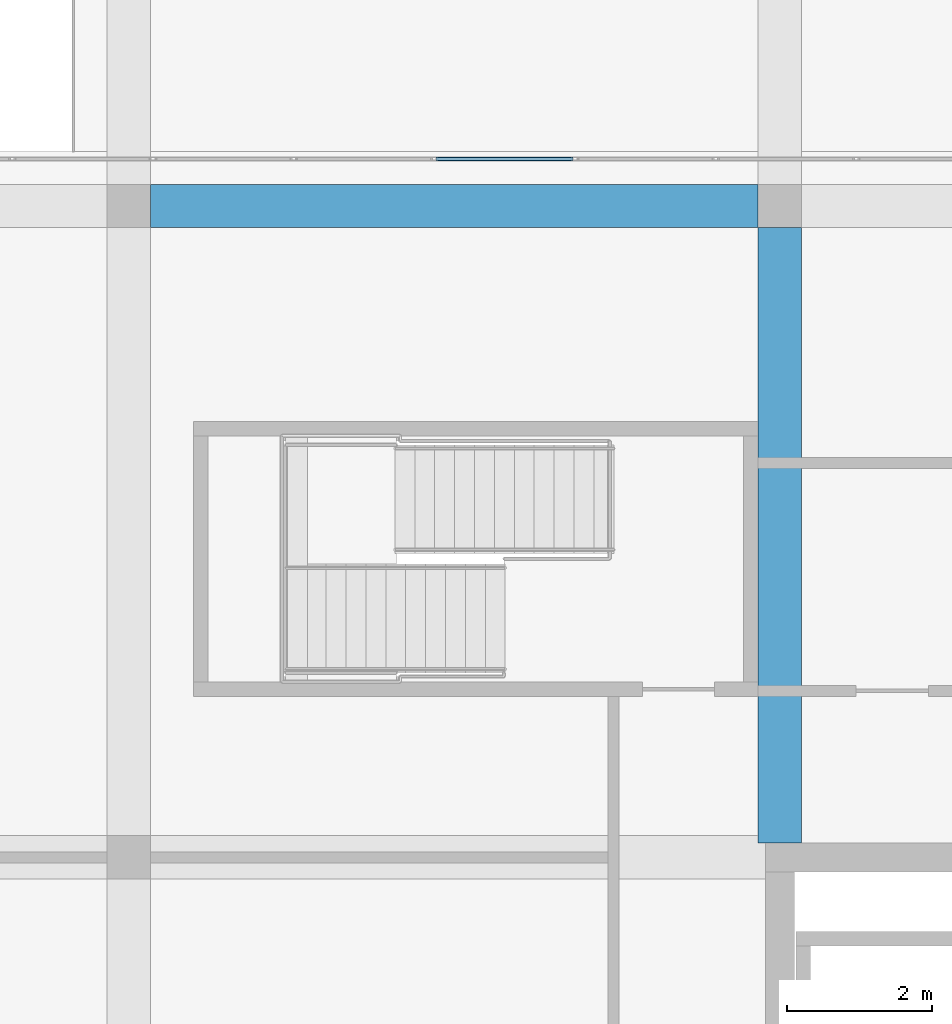
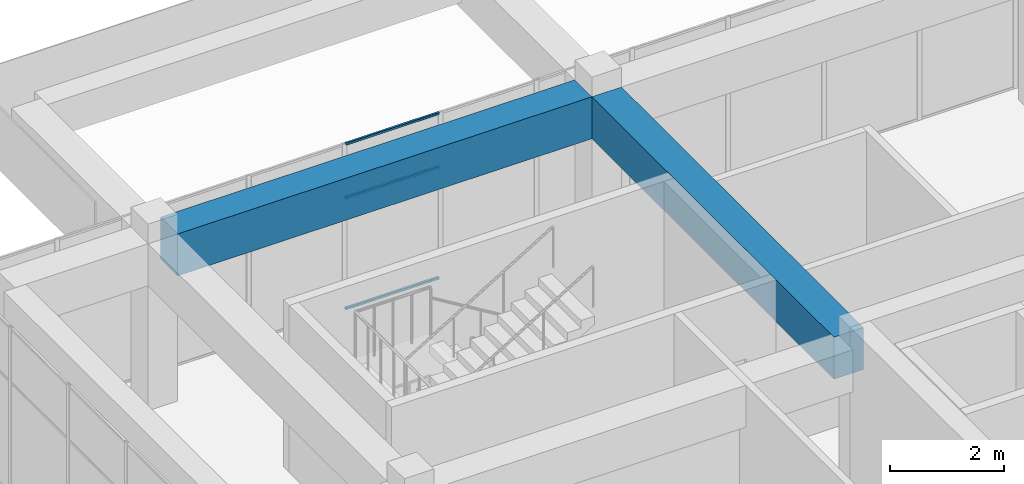
# One storey, part 23 of 35: 3 members, 2 beams, 1 element without a shape of its own.
"""IFC4 building model written with IfcOpenShell, lengths in metres."""

from ifc_helpers import new_model, si_unit, direction, frame, origin, origin_2d, place, context, subcontext, project, spatial, rectangle, hollow_rectangle, extrude, material, layer, layer_set, material_profile, profile_set, type_object, element, aggregate, save


model = new_model("IFC4")

# Units and contexts
model_context = context("Model", 3, precision=1e-05, world=origin(), true_north=direction((0.0, 1.0)))
body_context = subcontext(model_context, "Body", "Model", "MODEL_VIEW")
ifc_project = project(units=[si_unit("LENGTHUNIT", "METRE"), si_unit("AREAUNIT", "SQUARE_METRE"), si_unit("VOLUMEUNIT", "CUBIC_METRE"), si_unit("PLANEANGLEUNIT", "RADIAN"), si_unit("MASSUNIT", "GRAM", prefix="KILO")], contexts=[model_context])

# Site, building, storey
site_placement = place(None, origin())
site = spatial("IfcSite", under=ifc_project, at=site_placement, CompositionType="ELEMENT")
building_placement = place(site_placement, origin())
building = spatial("IfcBuilding", under=site, at=building_placement, Name="Tuart Plaza Theatre", CompositionType="ELEMENT")
storey_placement = place(building_placement, frame((0.0, 0.0, 49.5)))
storey = spatial("IfcBuildingStorey", under=building, at=storey_placement, Name="L12", CompositionType="ELEMENT", Elevation=49.5)

# Beams
ifc_material_1 = material(Name="Concrete N40 (40 MPa)", Category="concrete")
ifc_material_profile_1 = material_profile(ifc_material_1, rectangle(XDim=0.60009765625, YDim=0.89990234375, at=origin_2d()), Name="BEAM 600x900 Concrete N40 (40 MPa)")
ifc_profile_set_1 = profile_set([ifc_material_profile_1], Name="Concrete N40 (40 MPa)")
beam_type = type_object("IfcBeamType", Name="BEAM 600x900 Concrete N40 (40 MPa)", PredefinedType="BEAM", material=ifc_profile_set_1)
beam_1_placement = place(storey_placement, frame((114.300048828125, 92.0, 3.1298828125), z_axis=(1.0, 0.0, 0.0), x_axis=(0.0, 1.0, 0.0)))
element("IfcBeam", 1, at=beam_1_placement, inside=storey, type_object=beam_type, Name="RB295", PredefinedType="BEAM", context=body_context, shape_type="SweptSolid", body=[
    extrude(rectangle(XDim=0.60009765625, YDim=0.89990234375, at=origin_2d()), origin(), (0.0, 0.0, 1.0), 8.39990234375),
])
beam_2_placement = place(storey_placement, frame((123.0, 83.199951171875, 3.1298828125), z_axis=(0.0, 1.0, 0.0), x_axis=(-1.0, 0.0, 0.0)))
element("IfcBeam", 2, at=beam_2_placement, inside=storey, type_object=beam_type, Name="RB298", PredefinedType="BEAM", context=body_context, shape_type="SweptSolid", body=[
    extrude(rectangle(XDim=0.60009765625, YDim=0.89990234375, at=origin_2d()), origin(), (0.0, 0.0, 1.0), 8.5),
])

# Curtain wall, members
ifc_material_2 = material(Name="Aluminium and glass", Category="aluminium")
ifc_layer = layer(ifc_material_2, 0.10009765625)
ifc_layer_set = layer_set([ifc_layer], Name="CURTAIN WALL 2000 module")
curtain_wall_type = type_object("IfcCurtainWallType", Name="CURTAIN WALL 2000 module", PredefinedType="NOTDEFINED", material=ifc_layer_set)
curtain_wall_placement = place(storey_placement, origin())
curtain_wall = element("IfcCurtainWall", 3, at=curtain_wall_placement, inside=storey, type_object=curtain_wall_type, Name="CW105", PredefinedType="NOTDEFINED")
ifc_material_3 = material(Name="Aluminium 6063-T5", Category="aluminium")
ifc_material_profile_2 = material_profile(ifc_material_3, hollow_rectangle(XDim=0.050048828125, YDim=0.050048828125, WallThickness=0.00390625, InnerFilletRadius=0.00390625, OuterFilletRadius=0.008056640625, at=origin_2d()), Name="RHS 50x50x4")
ifc_profile_set_2 = profile_set([ifc_material_profile_2], Name="Aluminium 6063-T5")
member_type = type_object("IfcMemberType", Name="TRANSOM RHS 50x50x4", PredefinedType="USERDEFINED", material=ifc_profile_set_2)
member_1_placement = place(storey_placement, frame((120.143798828125, 92.64990234375, 0.02490234375), z_axis=(-1.0, 0.0, 0.0), x_axis=(0.0, -1.0, 0.0)))
member_1 = element("IfcMember", 4, at=member_1_placement, type_object=member_type, Name="CW105 transom 12.1", ObjectType="TRANSOM", PredefinedType="USERDEFINED", context=body_context, shape_type="SweptSolid", body=[
    extrude(hollow_rectangle(XDim=0.050048828125, YDim=0.050048828125, WallThickness=0.00390625, InnerFilletRadius=0.00390625, OuterFilletRadius=0.008056640625, at=origin_2d()), origin(), (0.0, 0.0, 1.0), 1.893798828125),
])
member_2_placement = place(storey_placement, frame((120.143798828125, 92.64990234375, 2.39990234375), z_axis=(-1.0, 0.0, 0.0), x_axis=(0.0, -1.0, 0.0)))
member_2 = element("IfcMember", 5, at=member_2_placement, type_object=member_type, Name="CW105 transom 12.2", ObjectType="TRANSOM", PredefinedType="USERDEFINED", context=body_context, shape_type="SweptSolid", body=[
    extrude(hollow_rectangle(XDim=0.050048828125, YDim=0.050048828125, WallThickness=0.00390625, InnerFilletRadius=0.00390625, OuterFilletRadius=0.008056640625, at=origin_2d()), origin(), (0.0, 0.0, 1.0), 1.893798828125),
])
member_3_placement = place(storey_placement, frame((120.143798828125, 92.64990234375, 3.554931640625), z_axis=(-1.0, 0.0, 0.0), x_axis=(0.0, -1.0, 0.0)))
member_3 = element("IfcMember", 6, at=member_3_placement, type_object=member_type, Name="CW105 transom 12.3", ObjectType="TRANSOM", PredefinedType="USERDEFINED", context=body_context, shape_type="SweptSolid", body=[
    extrude(hollow_rectangle(XDim=0.050048828125, YDim=0.050048828125, WallThickness=0.00390625, InnerFilletRadius=0.00390625, OuterFilletRadius=0.008056640625, at=origin_2d()), origin(), (0.0, 0.0, 1.0), 1.893798828125),
])
aggregate(curtain_wall, [member_1, member_2, member_3])

save(model, "model.ifc")
